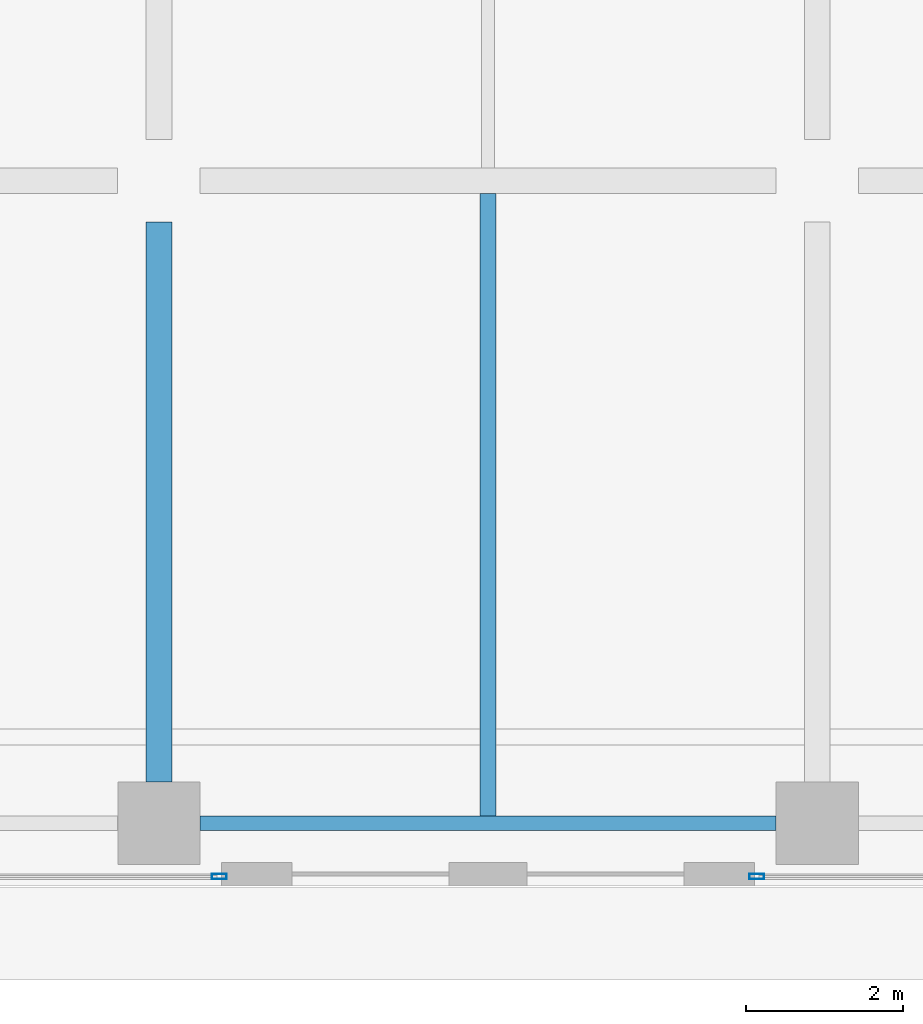
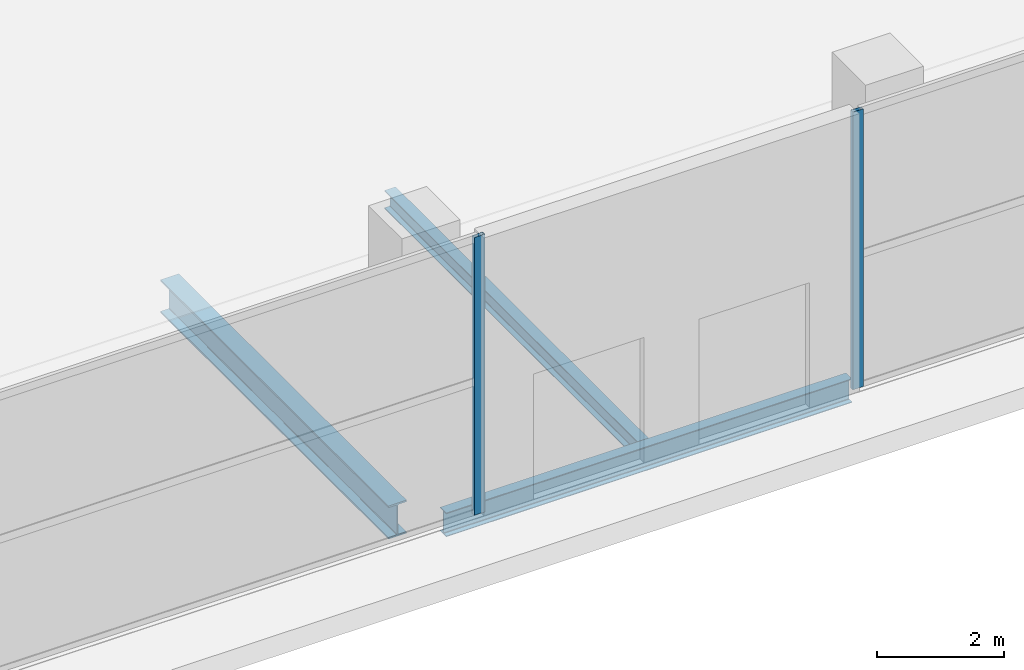
# One storey, part 13 of 35: 3 beams, 2 members, 2 elements without a shape of their own.
"""IFC4 building model written with IfcOpenShell, lengths in metres."""

from ifc_helpers import new_model, si_unit, direction, frame, origin, origin_2d, place, context, subcontext, project, spatial, hollow_rectangle, i_section, extrude, material, layer, layer_set, material_profile, profile_set, type_object, element, aggregate, save


model = new_model("IFC4")

# Units and contexts
model_context = context("Model", 3, precision=1e-05, world=origin(), true_north=direction((0.0, 1.0)))
body_context = subcontext(model_context, "Body", "Model", "MODEL_VIEW")
ifc_project = project(units=[si_unit("LENGTHUNIT", "METRE"), si_unit("AREAUNIT", "SQUARE_METRE"), si_unit("VOLUMEUNIT", "CUBIC_METRE"), si_unit("PLANEANGLEUNIT", "RADIAN"), si_unit("MASSUNIT", "GRAM", prefix="KILO")], contexts=[model_context])

# Site, building, storey
site_placement = place(None, origin())
site = spatial("IfcSite", under=ifc_project, at=site_placement, CompositionType="ELEMENT")
building_placement = place(site_placement, origin())
building = spatial("IfcBuilding", under=site, at=building_placement, Name="Maruvema Waterfront Hotel and Observation Tower", CompositionType="ELEMENT")
storey_placement = place(building_placement, origin())
storey = spatial("IfcBuildingStorey", under=building, at=storey_placement, Name="L00", CompositionType="ELEMENT", Elevation=0.0)

# Beam
ifc_material_1 = material(Name="Steel ASTM A572 Grade 50", Category="steel")
ifc_material_profile_1 = material_profile(ifc_material_1, i_section(OverallWidth=0.18994140625, OverallDepth=0.45703125, WebThickness=0.009033203125, FlangeThickness=0.014404296875, FilletRadius=0.014892578125, at=origin_2d()), Name="W460x74.0")
ifc_profile_set_1 = profile_set([ifc_material_profile_1], Name="Steel ASTM A572 Grade 50")
beam_type_1 = type_object("IfcBeamType", Name="Perimeter Spandrel Beam W460x74.0", PredefinedType="SPANDREL", material=ifc_profile_set_1)
beam_1_placement = place(storey_placement, frame((34.125, 0.800048828125, -0.508544921875), z_axis=(1.0, 0.0, 0.0), x_axis=(0.0, 1.0, 0.0)))
element("IfcBeam", 1, at=beam_1_placement, inside=storey, type_object=beam_type_1, Name="L00 Floor Girder EW-05", PredefinedType="SPANDREL", context=body_context, shape_type="SweptSolid", body=[
    extrude(i_section(OverallWidth=0.18994140625, OverallDepth=0.45703125, WebThickness=0.009033203125, FlangeThickness=0.014404296875, FilletRadius=0.014892578125, at=origin_2d()), origin(), (0.0, 0.0, 1.0), 7.35009765625),
])

# Curtain wall, member
ifc_material_2 = material(Name="Anodised bronze aluminium and solar-control low-E IGU", Category="aluminium")
ifc_layer = layer(ifc_material_2, 0.159912109375, Name="Podium Waterfront Storefront Curtain Wall System CW-01")
ifc_layer_set = layer_set([ifc_layer], Name="Anodised bronze aluminium and solar-control low-E IGU")
curtain_wall_type = type_object("IfcCurtainWallType", Name="Podium Waterfront Storefront Curtain Wall System CW-01", PredefinedType="USERDEFINED", material=ifc_layer_set)
curtain_wall_1_placement = place(storey_placement, origin())
curtain_wall_1 = element("IfcCurtainWall", 2, at=curtain_wall_1_placement, inside=storey, type_object=curtain_wall_type, Name="L00 Curtain Wall CW-L00-SW", ObjectType="UNITISED CURTAIN WALL", PredefinedType="USERDEFINED")
ifc_material_3 = material(Name="Anodised architectural bronze aluminium", Category="aluminium")
ifc_material_profile_2 = material_profile(ifc_material_3, hollow_rectangle(XDim=0.070068359375, YDim=0.18994140625, WallThickness=0.00390625, at=origin_2d()), Name="ALU-M70x190")
ifc_profile_set_2 = profile_set([ifc_material_profile_2], Name="Anodised architectural bronze aluminium")
member_type = type_object("IfcMemberType", Name="Podium Storefront Heavy Mullion ALU-M70x190", PredefinedType="MULLION", material=ifc_profile_set_2)
member_1_placement = place(storey_placement, frame((34.3701171875, 0.1201171875, 0.0), z_axis=(0.0, 0.0, 1.0), x_axis=(0.0, 1.0, 0.0)))
member_1 = element("IfcMember", 3, at=member_1_placement, type_object=member_type, Name="CW-01 mullion 2", PredefinedType="MULLION", context=body_context, shape_type="SweptSolid", body=[
    extrude(hollow_rectangle(XDim=0.070068359375, YDim=0.18994140625, WallThickness=0.00390625, at=origin_2d()), origin(), (0.0, 0.0, 1.0), 5.320068359375),
])
aggregate(curtain_wall_1, [member_1])

curtain_wall_2_placement = place(storey_placement, origin())
curtain_wall_2 = element("IfcCurtainWall", 4, at=curtain_wall_2_placement, inside=storey, type_object=curtain_wall_type, Name="L00 Curtain Wall CW-L00-SE", ObjectType="UNITISED CURTAIN WALL", PredefinedType="USERDEFINED")
member_2_placement = place(storey_placement, frame((41.22998046875, 0.1201171875, 0.0), z_axis=(0.0, 0.0, 1.0), x_axis=(0.0, 1.0, 0.0)))
member_2 = element("IfcMember", 5, at=member_2_placement, type_object=member_type, Name="CW-01 mullion 1", PredefinedType="MULLION", context=body_context, shape_type="SweptSolid", body=[
    extrude(hollow_rectangle(XDim=0.070068359375, YDim=0.18994140625, WallThickness=0.00390625, at=origin_2d()), origin(), (0.0, 0.0, 1.0), 5.320068359375),
])
aggregate(curtain_wall_2, [member_2])

# Beams
ifc_material_4 = material(Name="Steel ASTM A572 Grade 50", Category="steel")
ifc_material_profile_3 = material_profile(ifc_material_4, i_section(OverallWidth=0.3291015625, OverallDepth=0.635009765625, WebThickness=0.017822265625, FlangeThickness=0.031005859375, FilletRadius=0.01806640625, at=origin_2d()), Name="W610x241.0")
ifc_profile_set_3 = profile_set([ifc_material_profile_3], Name="Steel ASTM A572 Grade 50")
beam_type_2 = type_object("IfcBeamType", Name="Primary Floor Girder W610x241.0", PredefinedType="BEAM", material=ifc_profile_set_3)
beam_2_placement = place(storey_placement, frame((33.60009765625, 1.324951171875, -0.597412109375), z_axis=(0.0, 1.0, 0.0), x_axis=(-1.0, 0.0, 0.0)))
element("IfcBeam", 6, at=beam_2_placement, inside=storey, type_object=beam_type_2, Name="L00 Floor Girder NS-18", PredefinedType="BEAM", context=body_context, shape_type="SweptSolid", body=[
    extrude(i_section(OverallWidth=0.3291015625, OverallDepth=0.635009765625, WebThickness=0.017822265625, FlangeThickness=0.031005859375, FilletRadius=0.01806640625, at=origin_2d()), origin(), (0.0, 0.0, 1.0), 7.150146484375),
])
ifc_material_5 = material(Name="Steel ASTM A572 Grade 50", Category="steel")
ifc_material_profile_4 = material_profile(ifc_material_5, i_section(OverallWidth=0.202880859375, OverallDepth=0.346923828125, WebThickness=0.0078125, FlangeThickness=0.013427734375, FilletRadius=0.014892578125, at=origin_2d()), Name="W360x64.0")
ifc_profile_set_4 = profile_set([ifc_material_profile_4], Name="Steel ASTM A572 Grade 50")
beam_type_3 = type_object("IfcBeamType", Name="Secondary Floor Joist W360x64.0", PredefinedType="JOIST", material=ifc_profile_set_4)
beam_3_placement = place(storey_placement, frame((37.800048828125, 0.89501953125, -0.45361328125), z_axis=(0.0, 1.0, 0.0), x_axis=(-1.0, 0.0, 0.0)))
element("IfcBeam", 7, at=beam_3_placement, inside=storey, type_object=beam_type_3, Name="L00 Secondary Floor Joist JS-11", PredefinedType="JOIST", context=body_context, shape_type="SweptSolid", body=[
    extrude(i_section(OverallWidth=0.202880859375, OverallDepth=0.346923828125, WebThickness=0.0078125, FlangeThickness=0.013427734375, FilletRadius=0.014892578125, at=origin_2d()), origin(), (0.0, 0.0, 1.0), 7.9404296875),
])

save(model, "model.ifc")
